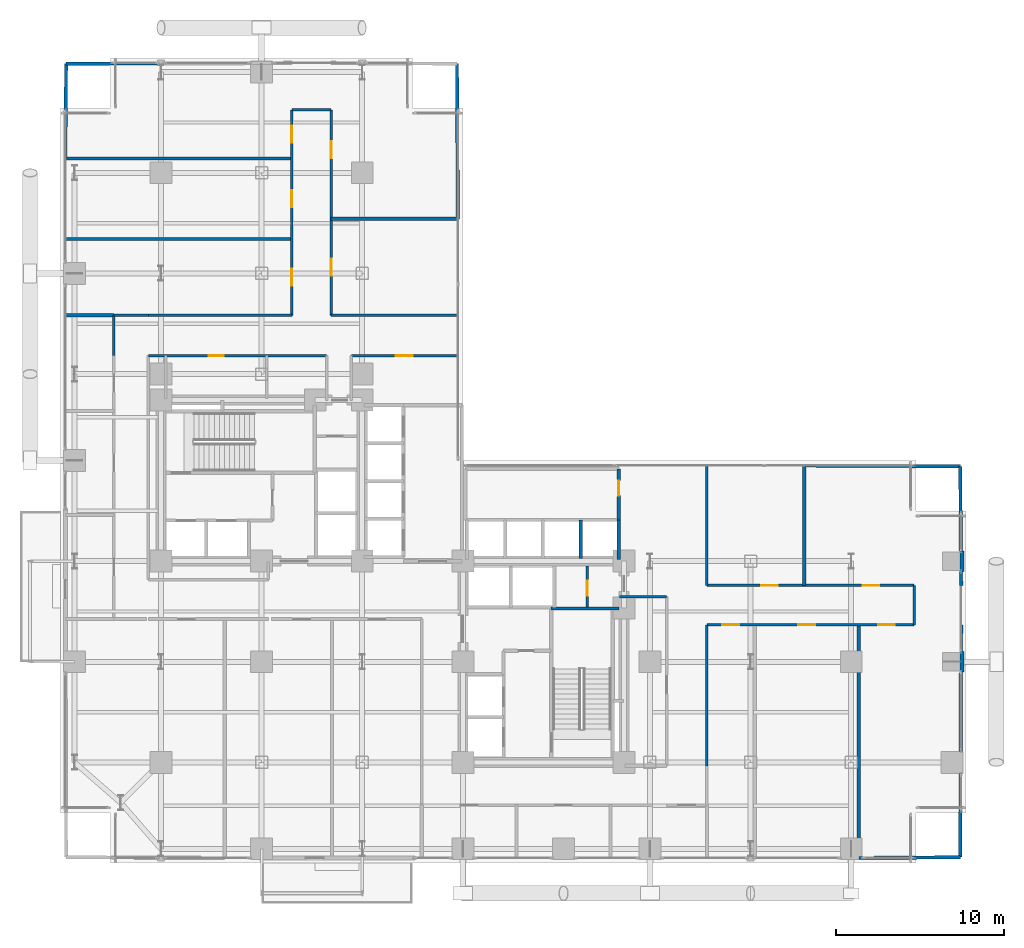
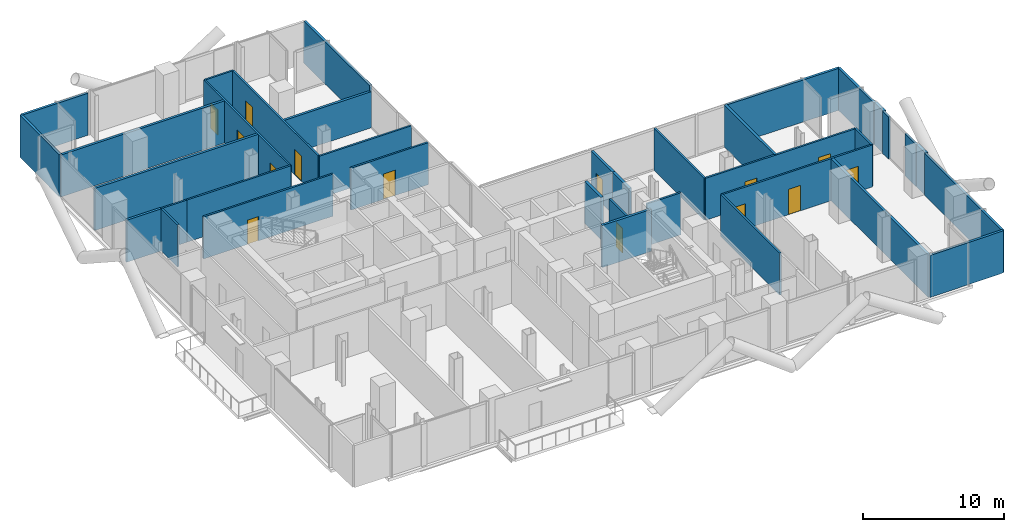
# One storey, part 22 of 25: 37 walls, 14 doors, 14 openings.
"""IFC4 building model written with IfcOpenShell, lengths in metres."""

from ifc_helpers import new_model, si_unit, direction, frame, frame_2d, origin, place, context, subcontext, project, spatial, rectangle, extrude, material, layer, layer_set, type_object, element, fill, save


model = new_model("IFC4")

# Units and contexts
model_context = context("Model", 3, precision=1e-05, world=origin(), true_north=direction((0.0, 1.0)))
body_context = subcontext(model_context, "Body", "Model", "MODEL_VIEW")
ifc_project = project(units=[si_unit("LENGTHUNIT", "METRE"), si_unit("AREAUNIT", "SQUARE_METRE"), si_unit("VOLUMEUNIT", "CUBIC_METRE"), si_unit("PLANEANGLEUNIT", "RADIAN"), si_unit("MASSUNIT", "GRAM", prefix="KILO"), si_unit("THERMODYNAMICTEMPERATUREUNIT", "KELVIN"), si_unit("POWERUNIT", "WATT")], contexts=[model_context])

# Site, building, storey
site_placement = place(None, origin())
site = spatial("IfcSite", under=ifc_project, at=site_placement, CompositionType="ELEMENT")
building_placement = place(site_placement, origin())
building = spatial("IfcBuilding", under=site, at=building_placement, Name="Svarakhadi Broadcast Tower", CompositionType="ELEMENT")
storey_placement = place(building_placement, frame((0.0, 0.0, 67.5)))
storey = spatial("IfcBuildingStorey", under=building, at=storey_placement, Name="L15", CompositionType="ELEMENT", Elevation=67.5)

# Walls
ifc_material_1 = material(Name="Double-Stud Acoustic Studio Partition STC-62", Category="gypsum")
ifc_layer_1 = layer(ifc_material_1, 0.199951171875)
ifc_layer_set_1 = layer_set([ifc_layer_1], Name="Double-Stud Acoustic Studio Partition STC-62")
wall_type_1 = type_object("IfcWallType", Name="Wall_Acoust_200", PredefinedType="PARTITIONING", material=ifc_layer_set_1)
wall_1_placement = place(storey_placement, frame((47.60009765625, 0.300048828125, 0.0), z_axis=(0.0, 0.0, 1.0), x_axis=(0.0, 1.0, 0.0)))
element("IfcWall", 1, at=wall_1_placement, inside=storey, type_object=wall_type_1, Name="L15 Crew Recreation Lounge Wall", PredefinedType="PARTITIONING", context=body_context, shape_type="SweptSolid", body=[
    extrude(rectangle(XDim=13.89990234375, YDim=0.199951171875, at=frame_2d((6.949951171875, 0.0))), origin(), (0.0, 0.0, 1.0), 3.64990234375),
])
wall_2_placement = place(storey_placement, frame((47.60009765625, 0.300048828125, 0.0), z_axis=(0.0, 0.0, 1.0), x_axis=(0.999965782141, 0.008272517568, 0.0)))
element("IfcWall", 2, at=wall_2_placement, inside=storey, type_object=wall_type_1, Name="L15 Staff Fitness Stretching Room Wall", PredefinedType="PARTITIONING", context=body_context, shape_type="SweptSolid", body=[
    extrude(rectangle(XDim=6.050048828125, YDim=0.199951171875, at=frame_2d((3.02490234375, 0.0))), origin(), (0.0, 0.0, 1.0), 3.64990234375),
])
wall_3_placement = place(storey_placement, frame((53.64990234375, 0.35009765625, 0.0), z_axis=(0.0, 0.0, 1.0), x_axis=(0.003606251025, 0.999993497456, 0.0)))
element("IfcWall", 3, at=wall_3_placement, inside=storey, type_object=wall_type_1, Name="L15 Staff Fitness Stretching Room Wall", PredefinedType="PARTITIONING", context=body_context, shape_type="SweptSolid", body=[
    extrude(rectangle(XDim=11.034912109375, YDim=0.199951171875, at=frame_2d((5.517578125, 0.0))), origin(), (0.0, 0.0, 1.0), 3.64990234375),
])
wall_4_placement = place(storey_placement, frame((53.6943359375, 12.614990234375, 0.0), z_axis=(0.0, 0.0, 1.0), x_axis=(0.003542799701, 0.999993724265, 0.0)))
element("IfcWall", 4, at=wall_4_placement, inside=storey, type_object=wall_type_1, Name="L15 Staff Fitness Stretching Room Wall", PredefinedType="PARTITIONING", context=body_context, shape_type="SweptSolid", body=[
    extrude(rectangle(XDim=1.5849609375, YDim=0.199951171875, at=frame_2d((0.79248046875, 0.0))), origin(), (0.0, 0.0, 1.0), 3.64990234375),
])
wall_5_placement = place(storey_placement, frame((44.35009765625, 16.550048828125, 0.0), z_axis=(0.0, 0.0, 1.0), x_axis=(0.0, 1.0, 0.0)))
element("IfcWall", 5, at=wall_5_placement, inside=storey, type_object=wall_type_1, Name="L15 Broadcast Acoustic Booth Wall", PredefinedType="PARTITIONING", context=body_context, shape_type="SweptSolid", body=[
    extrude(rectangle(XDim=7.14990234375, YDim=0.199951171875, at=frame_2d((3.574951171875, 0.0))), origin(), (0.0, 0.0, 1.0), 3.64990234375),
])
wall_6_placement = place(storey_placement, frame((44.35009765625, 23.699951171875, 0.0), z_axis=(0.0, 0.0, 1.0), x_axis=(0.999985518927, -0.005381629512, 0.0)))
element("IfcWall", 6, at=wall_6_placement, inside=storey, type_object=wall_type_1, Name="L15 Broadcast Equipment Operations Room Wall", PredefinedType="PARTITIONING", context=body_context, shape_type="SweptSolid", body=[
    extrude(rectangle(XDim=9.300048828125, YDim=0.199951171875, at=frame_2d((4.64990234375, 0.0))), origin(), (0.0, 0.0, 1.0), 3.64990234375),
])
wall_7_placement = place(storey_placement, frame((53.699951171875, 16.550048828125, 0.0), z_axis=(0.0, 0.0, 1.0), x_axis=(-0.007017371073, 0.999975377948, 0.0)))
element("IfcWall", 7, at=wall_7_placement, inside=storey, type_object=wall_type_1, Name="L15 Broadcast Equipment Operations Room Wall", PredefinedType="PARTITIONING", context=body_context, shape_type="SweptSolid", body=[
    extrude(rectangle(XDim=0.8349609375, YDim=0.199951171875, at=frame_2d((0.41748046875, 0.0))), origin(), (0.0, 0.0, 1.0), 3.64990234375),
])
wall_8_placement = place(storey_placement, frame((53.685546875, 18.614990234375, 0.0), z_axis=(0.0, 0.0, 1.0), x_axis=(-0.007079296972, 0.999974941463, 0.0)))
element("IfcWall", 8, at=wall_8_placement, inside=storey, type_object=wall_type_1, Name="L15 Broadcast Equipment Operations Room Wall", PredefinedType="PARTITIONING", context=body_context, shape_type="SweptSolid", body=[
    extrude(rectangle(XDim=5.03515625, YDim=0.199951171875, at=frame_2d((2.517578125, 0.0))), origin(), (0.0, 0.0, 1.0), 3.64990234375),
])
for number, where, z_axis, x_axis, name in (
    (9, (0.300048828125, 37.199951171875, 0.0), (0.0, 0.0, 1.0), (1.0, 0.0, 0.0), "L15 Occupational Health Wellness Room Wall"),
    (10, (0.300048828125, 42.0, 0.0), (0.0, 0.0, 1.0), (1.0, 0.0, 0.0), "L15 Night-Shift Quiet Rest Lounge Wall"),
):
    element("IfcWall", number, at=place(storey_placement, frame(where, z_axis=z_axis, x_axis=x_axis)), inside=storey, type_object=wall_type_1, Name=name, PredefinedType="PARTITIONING", context=body_context, shape_type="SweptSolid", body=[
        extrude(rectangle(XDim=13.5, YDim=0.199951171875, at=frame_2d((6.75, 0.0))), origin(), (0.0, 0.0, 1.0), 3.64990234375),
    ])
wall_9_placement = place(storey_placement, frame((0.35009765625, 47.64990234375, 0.0), z_axis=(0.0, 0.0, 1.0), x_axis=(0.99999304924, 0.003728467862, 0.0)))
element("IfcWall", 11, at=wall_9_placement, inside=storey, type_object=wall_type_1, Name="L15 Crew Locker Store Wall", PredefinedType="PARTITIONING", context=body_context, shape_type="SweptSolid", body=[
    extrude(rectangle(XDim=5.434814453125, YDim=0.199951171875, at=frame_2d((2.71728515625, 0.0))), origin(), (0.0, 0.0, 1.0), 3.64990234375),
])
wall_10_placement = place(storey_placement, frame((0.300048828125, 42.0, 0.0), z_axis=(0.0, 0.0, 1.0), x_axis=(0.00885800524, 0.999960767102, 0.0)))
element("IfcWall", 12, at=wall_10_placement, inside=storey, type_object=wall_type_1, Name="L15 Crew Locker Store Wall", PredefinedType="PARTITIONING", context=body_context, shape_type="SweptSolid", body=[
    extrude(rectangle(XDim=5.650146484375, YDim=0.199951171875, at=frame_2d((2.8251953125, 0.0))), origin(), (0.0, 0.0, 1.0), 3.64990234375),
])
wall_11_placement = place(storey_placement, frame((16.14990234375, 38.39990234375, 0.0), z_axis=(0.0, 0.0, 1.0), x_axis=(1.0, 0.0, 0.0)))
element("IfcWall", 13, at=wall_11_placement, inside=storey, type_object=wall_type_1, Name="L15 Mindfulness and Yoga Studio Wall", PredefinedType="PARTITIONING", context=body_context, shape_type="SweptSolid", body=[
    extrude(rectangle(XDim=7.550048828125, YDim=0.199951171875, at=frame_2d((3.77490234375, 0.0))), origin(), (0.0, 0.0, 1.0), 3.14208984375),
])
wall_12_placement = place(storey_placement, frame((23.699951171875, 38.39990234375, 0.0), z_axis=(0.0, 0.0, 1.0), x_axis=(-0.005410604923, 0.99998536257, 0.0)))
element("IfcWall", 14, at=wall_12_placement, inside=storey, type_object=wall_type_1, Name="L15 Staff Shower Room Wall", PredefinedType="PARTITIONING", context=body_context, shape_type="SweptSolid", body=[
    extrude(rectangle(XDim=9.250244140625, YDim=0.199951171875, at=frame_2d((4.625, 0.0))), origin(), (0.0, 0.0, 1.0), 3.64990234375),
])
wall_13_placement = place(storey_placement, frame((0.300048828125, 32.64990234375, 0.0), z_axis=(0.0, 0.0, 1.0), x_axis=(1.0, 0.0, 0.0)))
element("IfcWall", 15, at=wall_13_placement, inside=storey, type_object=wall_type_1, Name="L15 Producer Quiet Lounge Wall", PredefinedType="PARTITIONING", context=body_context, shape_type="SweptSolid", body=[
    extrude(rectangle(XDim=2.89990234375, YDim=0.199951171875, at=frame_2d((1.449951171875, 0.0))), origin(), (0.0, 0.0, 1.0), 3.64990234375),
])
ifc_material_2 = material(Name="Concrete C40/50 (IS 456 M50)", Category="concrete")
ifc_layer_2 = layer(ifc_material_2, 0.239990234375)
ifc_layer_set_2 = layer_set([ifc_layer_2], Name="Concrete C40/50 (IS 456 M50)")
wall_type_2 = type_object("IfcWallType", Name="Wall_Ext_240", PredefinedType="SOLIDWALL", material=ifc_layer_set_2)
for number, where, z_axis, x_axis, name in (
    (16, (53.760009765625, 18.614990234375, 0.0), (0.0, 0.0, 1.0), (0.0, -1.0, 0.0), "L15 Perimeter Bronze Spandrel Closure Wall 03"),
    (17, (53.760009765625, 12.614990234375, 0.0), (0.0, 0.0, 1.0), (0.0, -1.0, 0.0), "L15 Perimeter Bronze Spandrel Closure Wall 04"),
):
    element("IfcWall", number, at=place(storey_placement, frame(where, z_axis=z_axis, x_axis=x_axis)), inside=storey, type_object=wall_type_2, Name=name, PredefinedType="SOLIDWALL", context=body_context, shape_type="SweptSolid", body=[
        extrude(rectangle(XDim=1.22998046875, YDim=0.239990234375, at=frame_2d((0.614990234375, 0.0))), origin(), (0.0, 0.0, 1.0), 3.64990234375),
    ])

# Wall, opening, door
ifc_material_3 = material(Name="Autoclaved Aerated Concrete Blockwork 150 mm", Category="masonry")
ifc_layer_3 = layer(ifc_material_3, 0.14990234375)
ifc_layer_set_3 = layer_set([ifc_layer_3], Name="Autoclaved Aerated Concrete Blockwork 150 mm")
wall_type_3 = type_object("IfcWallType", Name="Wall_Part_150", PredefinedType="PARTITIONING", material=ifc_layer_set_3)
wall_14_placement = place(storey_placement, frame((31.419921875, 15.280029296875, 0.0), z_axis=(0.0, 0.0, 1.0), x_axis=(0.0, 1.0, 0.0)))
wall_14 = element("IfcWall", 18, at=wall_14_placement, inside=storey, type_object=wall_type_3, Name="L15 East Core Dual Store Wall", PredefinedType="PARTITIONING", context=body_context, shape_type="SweptSolid", body=[
    extrude(rectangle(XDim=2.419921875, YDim=0.14990234375, at=frame_2d((1.2099609375, 0.0))), origin(), (0.0, 0.0, 1.0), 3.64990234375),
])
opening_1_placement = place(wall_14_placement, frame((0.64990234375, 0.0, 0.0)))
opening_1 = element("IfcOpeningElement", 19, at=opening_1_placement, cuts=wall_14, Name="Opening D-04", PredefinedType="OPENING", context=body_context, shape_type="SweptSolid", body=[
    extrude(rectangle(XDim=0.89990234375, YDim=2.14990234375, at=frame_2d((0.449951171875, 1.074951171875))), frame((0.0, 0.0849609375, 0.0), z_axis=(0.0, -1.0, 0.0), x_axis=(1.0, 0.0, 0.0)), (0.0, 0.0, 1.0), 0.169921875),
])
ifc_material_4 = material(Name="Galvanised Powder-Coated Fire-Rated Steel Leaf", Category="steel")
door_type_1 = type_object("IfcDoorType", Name="Door_Fire_D04", OperationType="SINGLE_SWING_RIGHT", PredefinedType="DOOR", material=ifc_material_4)
door_1_placement = place(opening_1_placement, origin())
door_1 = element("IfcDoor", 20, at=door_1_placement, inside=storey, type_object=door_type_1, Name="L15 East Core Store B Door", OperationType="SINGLE_SWING_RIGHT", OverallHeight=2.14990234375, OverallWidth=0.89990234375, PredefinedType="DOOR", context=body_context, shape_type="SweptSolid", body=[
    extrude(rectangle(XDim=0.89990234375, YDim=2.14990234375, at=frame_2d((0.449951171875, 1.074951171875))), frame((0.0, 0.02490234375, 0.0), z_axis=(0.0, -1.0, 0.0), x_axis=(1.0, 0.0, 0.0)), (0.0, 0.0, 1.0), 0.050048828125),
])
fill(opening_1, door_1)

# Walls
wall_15_placement = place(storey_placement, frame((36.14990234375, 15.8798828125, 0.0), z_axis=(0.0, 0.0, 1.0), x_axis=(-1.0, 0.0, 0.0)))
element("IfcWall", 21, at=wall_15_placement, inside=storey, type_object=wall_type_3, Name="L15 Broadcast Corridor Wall", PredefinedType="PARTITIONING", context=body_context, shape_type="SweptSolid", body=[
    extrude(rectangle(XDim=2.809814453125, YDim=0.14990234375, at=frame_2d((1.40478515625, 0.0))), origin(), (0.0, 0.0, 1.0), 3.64990234375),
])
wall_16_placement = place(storey_placement, frame((38.550048828125, 23.699951171875, 0.0), z_axis=(0.0, 0.0, 1.0), x_axis=(0.0, -1.0, 0.0)))
element("IfcWall", 22, at=wall_16_placement, inside=storey, type_object=wall_type_3, Name="L15 Broadcast Corridor Wall", PredefinedType="PARTITIONING", context=body_context, shape_type="SweptSolid", body=[
    extrude(rectangle(XDim=7.14990234375, YDim=0.14990234375, at=frame_2d((3.574951171875, 0.0))), origin(), (0.0, 0.0, 1.0), 3.64990234375),
])

# Wall, openings, doors
wall_17_placement = place(storey_placement, frame((38.550048828125, 16.550048828125, 0.0), z_axis=(0.0, 0.0, 1.0), x_axis=(1.0, 0.0, 0.0)))
wall_17 = element("IfcWall", 23, at=wall_17_placement, inside=storey, type_object=wall_type_3, Name="L15 Broadcast Corridor Wall", PredefinedType="PARTITIONING", context=body_context, shape_type="SweptSolid", body=[
    extrude(rectangle(XDim=12.349853515625, YDim=0.14990234375, at=frame_2d((6.1748046875, 0.0))), origin(), (0.0, 0.0, 1.0), 3.64990234375),
])
opening_2_placement = place(wall_17_placement, frame((3.22998046875, 0.0, 0.0)))
opening_2 = element("IfcOpeningElement", 24, at=opening_2_placement, cuts=wall_17, Name="Opening D-09", PredefinedType="OPENING", context=body_context, shape_type="SweptSolid", body=[
    extrude(rectangle(XDim=1.0, YDim=2.199951171875, at=frame_2d((0.5, 1.10009765625))), frame((0.0, 0.0849609375, 0.0), z_axis=(0.0, -1.0, 0.0), x_axis=(1.0, 0.0, 0.0)), (0.0, 0.0, 1.0), 0.169921875),
])
opening_3_placement = place(wall_17_placement, frame((9.280029296875, 0.0, 0.0)))
opening_3 = element("IfcOpeningElement", 25, at=opening_3_placement, cuts=wall_17, Name="Opening D-09", PredefinedType="OPENING", context=body_context, shape_type="SweptSolid", body=[
    extrude(rectangle(XDim=1.0, YDim=2.199951171875, at=frame_2d((0.5, 1.10009765625))), frame((0.0, 0.0849609375, 0.0), z_axis=(0.0, -1.0, 0.0), x_axis=(1.0, 0.0, 0.0)), (0.0, 0.0, 1.0), 0.169921875),
])
ifc_material_5 = material(Name="Solid-Core Teak Veneer Acoustic Timber Leaf", Category="wood")
door_type_2 = type_object("IfcDoorType", Name="Door_Suite_D09", OperationType="SINGLE_SWING_RIGHT", PredefinedType="DOOR", material=ifc_material_5)
door_2_placement = place(opening_2_placement, origin())
door_2 = element("IfcDoor", 26, at=door_2_placement, inside=storey, type_object=door_type_2, Name="L15 Broadcast Acoustic Booth Door", OperationType="SINGLE_SWING_RIGHT", OverallHeight=2.199951171875, OverallWidth=1.0, PredefinedType="DOOR", context=body_context, shape_type="SweptSolid", body=[
    extrude(rectangle(XDim=1.0, YDim=2.199951171875, at=frame_2d((0.5, 1.10009765625))), frame((0.0, 0.02490234375, 0.0), z_axis=(0.0, -1.0, 0.0), x_axis=(1.0, 0.0, 0.0)), (0.0, 0.0, 1.0), 0.050048828125),
])
fill(opening_2, door_2)
door_3_placement = place(opening_3_placement, origin())
door_3 = element("IfcDoor", 27, at=door_3_placement, inside=storey, type_object=door_type_2, Name="L15 Broadcast Equipment Operations Room Door", OperationType="SINGLE_SWING_RIGHT", OverallHeight=2.199951171875, OverallWidth=1.0, PredefinedType="DOOR", context=body_context, shape_type="SweptSolid", body=[
    extrude(rectangle(XDim=1.0, YDim=2.199951171875, at=frame_2d((0.5, 1.10009765625))), frame((0.0, 0.02490234375, 0.0), z_axis=(0.0, -1.0, 0.0), x_axis=(1.0, 0.0, 0.0)), (0.0, 0.0, 1.0), 0.050048828125),
])
fill(opening_3, door_3)

# Wall
wall_18_placement = place(storey_placement, frame((50.89990234375, 16.550048828125, 0.0), z_axis=(0.0, 0.0, 1.0), x_axis=(0.0, -1.0, 0.0)))
element("IfcWall", 28, at=wall_18_placement, inside=storey, type_object=wall_type_3, Name="L15 Broadcast Corridor Wall", PredefinedType="PARTITIONING", context=body_context, shape_type="SweptSolid", body=[
    extrude(rectangle(XDim=2.35009765625, YDim=0.14990234375, at=frame_2d((1.175048828125, 0.0))), origin(), (0.0, 0.0, 1.0), 3.64990234375),
])

# Wall, openings, doors
wall_19_placement = place(storey_placement, frame((50.89990234375, 14.199951171875, 0.0), z_axis=(0.0, 0.0, 1.0), x_axis=(-1.0, 0.0, 0.0)))
wall_19 = element("IfcWall", 29, at=wall_19_placement, inside=storey, type_object=wall_type_3, Name="L15 Broadcast Corridor Wall", PredefinedType="PARTITIONING", context=body_context, shape_type="SweptSolid", body=[
    extrude(rectangle(XDim=12.349853515625, YDim=0.14990234375, at=frame_2d((6.1748046875, 0.0))), origin(), (0.0, 0.0, 1.0), 3.64990234375),
])
opening_4_placement = place(wall_19_placement, frame((10.425048828125, 0.0, 0.0)))
opening_4 = element("IfcOpeningElement", 30, at=opening_4_placement, cuts=wall_19, Name="Opening D-09", PredefinedType="OPENING", context=body_context, shape_type="SweptSolid", body=[
    extrude(rectangle(XDim=1.0, YDim=2.199951171875, at=frame_2d((0.5, 1.10009765625))), frame((0.0, 0.0849609375, 0.0), z_axis=(0.0, -1.0, 0.0), x_axis=(1.0, 0.0, 0.0)), (0.0, 0.0, 1.0), 0.169921875),
])
opening_5_placement = place(wall_19_placement, frame((5.89990234375, 0.0, 0.0)))
opening_5 = element("IfcOpeningElement", 31, at=opening_5_placement, cuts=wall_19, Name="Opening D-08", PredefinedType="OPENING", context=body_context, shape_type="SweptSolid", body=[
    extrude(rectangle(XDim=1.0, YDim=2.199951171875, at=frame_2d((0.5, 1.10009765625))), frame((0.0, 0.0849609375, 0.0), z_axis=(0.0, -1.0, 0.0), x_axis=(1.0, 0.0, 0.0)), (0.0, 0.0, 1.0), 0.169921875),
])
opening_6_placement = place(wall_19_placement, frame((1.14990234375, 0.0, 0.0)))
opening_6 = element("IfcOpeningElement", 32, at=opening_6_placement, cuts=wall_19, Name="Opening D-09", PredefinedType="OPENING", context=body_context, shape_type="SweptSolid", body=[
    extrude(rectangle(XDim=1.0, YDim=2.199951171875, at=frame_2d((0.5, 1.10009765625))), frame((0.0, 0.0849609375, 0.0), z_axis=(0.0, -1.0, 0.0), x_axis=(1.0, 0.0, 0.0)), (0.0, 0.0, 1.0), 0.169921875),
])
door_type_3 = type_object("IfcDoorType", Name="Door_Suite_D08", OperationType="SINGLE_SWING_LEFT", PredefinedType="DOOR", material=ifc_material_5)
door_4_placement = place(opening_5_placement, origin())
door_4 = element("IfcDoor", 33, at=door_4_placement, inside=storey, type_object=door_type_3, Name="L15 Crew Recreation Lounge Door", OperationType="SINGLE_SWING_LEFT", OverallHeight=2.199951171875, OverallWidth=1.0, PredefinedType="DOOR", context=body_context, shape_type="SweptSolid", body=[
    extrude(rectangle(XDim=1.0, YDim=2.199951171875, at=frame_2d((0.5, 1.10009765625))), frame((0.0, 0.02490234375, 0.0), z_axis=(0.0, -1.0, 0.0), x_axis=(1.0, 0.0, 0.0)), (0.0, 0.0, 1.0), 0.050048828125),
])
fill(opening_5, door_4)
door_5_placement = place(opening_4_placement, origin())
door_5 = element("IfcDoor", 34, at=door_5_placement, inside=storey, type_object=door_type_2, Name="L15 Harbour Terrace Espresso Bistro Door", OperationType="SINGLE_SWING_RIGHT", OverallHeight=2.199951171875, OverallWidth=1.0, PredefinedType="DOOR", context=body_context, shape_type="SweptSolid", body=[
    extrude(rectangle(XDim=1.0, YDim=2.199951171875, at=frame_2d((0.5, 1.10009765625))), frame((0.0, 0.02490234375, 0.0), z_axis=(0.0, -1.0, 0.0), x_axis=(1.0, 0.0, 0.0)), (0.0, 0.0, 1.0), 0.050048828125),
])
fill(opening_4, door_5)
door_6_placement = place(opening_6_placement, origin())
door_6 = element("IfcDoor", 35, at=door_6_placement, inside=storey, type_object=door_type_2, Name="L15 Staff Fitness Stretching Room Door", OperationType="SINGLE_SWING_RIGHT", OverallHeight=2.199951171875, OverallWidth=1.0, PredefinedType="DOOR", context=body_context, shape_type="SweptSolid", body=[
    extrude(rectangle(XDim=1.0, YDim=2.199951171875, at=frame_2d((0.5, 1.10009765625))), frame((0.0, 0.02490234375, 0.0), z_axis=(0.0, -1.0, 0.0), x_axis=(1.0, 0.0, 0.0)), (0.0, 0.0, 1.0), 0.050048828125),
])
fill(opening_6, door_6)

# Walls
wall_20_placement = place(storey_placement, frame((38.550048828125, 14.199951171875, 0.0), z_axis=(0.0, 0.0, 1.0), x_axis=(0.0, -1.0, 0.0)))
element("IfcWall", 36, at=wall_20_placement, inside=storey, type_object=wall_type_3, Name="L15 Broadcast Corridor Wall", PredefinedType="PARTITIONING", context=body_context, shape_type="SweptSolid", body=[
    extrude(rectangle(XDim=8.39990234375, YDim=0.14990234375, at=frame_2d((4.199951171875, 0.0))), origin(), (0.0, 0.0, 1.0), 3.64990234375),
])
wall_21_placement = place(storey_placement, frame((3.199951171875, 30.25, 0.0), z_axis=(0.0, 0.0, 1.0), x_axis=(0.0, 1.0, 0.0)))
element("IfcWall", 37, at=wall_21_placement, inside=storey, type_object=wall_type_3, Name="L15 Broadcast Corridor Wall", PredefinedType="PARTITIONING", context=body_context, shape_type="SweptSolid", body=[
    extrude(rectangle(XDim=2.39990234375, YDim=0.14990234375, at=frame_2d((1.199951171875, 0.0))), origin(), (0.0, 0.0, 1.0), 3.64990234375),
])
wall_22_placement = place(storey_placement, frame((3.199951171875, 32.64990234375, 0.0), z_axis=(0.0, 0.0, 1.0), x_axis=(1.0, 0.0, 0.0)))
element("IfcWall", 38, at=wall_22_placement, inside=storey, type_object=wall_type_3, Name="L15 Broadcast Corridor Wall", PredefinedType="PARTITIONING", context=body_context, shape_type="SweptSolid", body=[
    extrude(rectangle(XDim=2.050048828125, YDim=0.14990234375, at=frame_2d((1.02490234375, 0.0))), origin(), (0.0, 0.0, 1.0), 3.64990234375),
])
wall_23_placement = place(storey_placement, frame((5.25, 32.64990234375, 0.0), z_axis=(0.0, 0.0, 1.0), x_axis=(1.0, 0.0, 0.0)))
element("IfcWall", 39, at=wall_23_placement, inside=storey, type_object=wall_type_3, Name="L15 Broadcast Corridor Wall", PredefinedType="PARTITIONING", context=body_context, shape_type="SweptSolid", body=[
    extrude(rectangle(XDim=8.550048828125, YDim=0.14990234375, at=frame_2d((4.27490234375, 0.0))), origin(), (0.0, 0.0, 1.0), 3.64990234375),
])

# Wall, openings, doors
wall_24_placement = place(storey_placement, frame((13.800048828125, 32.64990234375, 0.0), z_axis=(0.0, 0.0, 1.0), x_axis=(0.0, 1.0, 0.0)))
wall_24 = element("IfcWall", 40, at=wall_24_placement, inside=storey, type_object=wall_type_3, Name="L15 Broadcast Corridor Wall", PredefinedType="PARTITIONING", context=body_context, shape_type="SweptSolid", body=[
    extrude(rectangle(XDim=12.25, YDim=0.14990234375, at=frame_2d((6.125, 0.0))), origin(), (0.0, 0.0, 1.0), 3.64990234375),
])
opening_7_placement = place(wall_24_placement, frame((1.77490234375, 0.0, 0.0)))
opening_7 = element("IfcOpeningElement", 41, at=opening_7_placement, cuts=wall_24, Name="Opening D-09", PredefinedType="OPENING", context=body_context, shape_type="SweptSolid", body=[
    extrude(rectangle(XDim=1.0, YDim=2.199951171875, at=frame_2d((0.5, 1.10009765625))), frame((0.0, 0.0849609375, 0.0), z_axis=(0.0, -1.0, 0.0), x_axis=(1.0, 0.0, 0.0)), (0.0, 0.0, 1.0), 0.169921875),
])
opening_8_placement = place(wall_24_placement, frame((6.449951171875, 0.0, 0.0)))
opening_8 = element("IfcOpeningElement", 42, at=opening_8_placement, cuts=wall_24, Name="Opening D-08", PredefinedType="OPENING", context=body_context, shape_type="SweptSolid", body=[
    extrude(rectangle(XDim=1.0, YDim=2.199951171875, at=frame_2d((0.5, 1.10009765625))), frame((0.0, 0.0849609375, 0.0), z_axis=(0.0, -1.0, 0.0), x_axis=(1.0, 0.0, 0.0)), (0.0, 0.0, 1.0), 0.169921875),
])
opening_9_placement = place(wall_24_placement, frame((10.300048828125, 0.0, 0.0)))
opening_9 = element("IfcOpeningElement", 43, at=opening_9_placement, cuts=wall_24, Name="Opening D-09", PredefinedType="OPENING", context=body_context, shape_type="SweptSolid", body=[
    extrude(rectangle(XDim=1.0, YDim=2.199951171875, at=frame_2d((0.5, 1.10009765625))), frame((0.0, 0.0849609375, 0.0), z_axis=(0.0, -1.0, 0.0), x_axis=(1.0, 0.0, 0.0)), (0.0, 0.0, 1.0), 0.169921875),
])
door_7_placement = place(opening_8_placement, origin())
door_7 = element("IfcDoor", 44, at=door_7_placement, inside=storey, type_object=door_type_3, Name="L15 Night-Shift Quiet Rest Lounge Door", OperationType="SINGLE_SWING_LEFT", OverallHeight=2.199951171875, OverallWidth=1.0, PredefinedType="DOOR", context=body_context, shape_type="SweptSolid", body=[
    extrude(rectangle(XDim=1.0, YDim=2.199951171875, at=frame_2d((0.5, 1.10009765625))), frame((0.0, 0.02490234375, 0.0), z_axis=(0.0, -1.0, 0.0), x_axis=(1.0, 0.0, 0.0)), (0.0, 0.0, 1.0), 0.050048828125),
])
fill(opening_8, door_7)
door_8_placement = place(opening_7_placement, origin())
door_8 = element("IfcDoor", 45, at=door_8_placement, inside=storey, type_object=door_type_2, Name="L15 Occupational Health Wellness Room Door", OperationType="SINGLE_SWING_RIGHT", OverallHeight=2.199951171875, OverallWidth=1.0, PredefinedType="DOOR", context=body_context, shape_type="SweptSolid", body=[
    extrude(rectangle(XDim=1.0, YDim=2.199951171875, at=frame_2d((0.5, 1.10009765625))), frame((0.0, 0.02490234375, 0.0), z_axis=(0.0, -1.0, 0.0), x_axis=(1.0, 0.0, 0.0)), (0.0, 0.0, 1.0), 0.050048828125),
])
fill(opening_7, door_8)
door_9_placement = place(opening_9_placement, origin())
door_9 = element("IfcDoor", 46, at=door_9_placement, inside=storey, type_object=door_type_2, Name="L15 Crew Locker Store Door", OperationType="SINGLE_SWING_RIGHT", OverallHeight=2.199951171875, OverallWidth=1.0, PredefinedType="DOOR", context=body_context, shape_type="SweptSolid", body=[
    extrude(rectangle(XDim=1.0, YDim=2.199951171875, at=frame_2d((0.5, 1.10009765625))), frame((0.0, 0.02490234375, 0.0), z_axis=(0.0, -1.0, 0.0), x_axis=(1.0, 0.0, 0.0)), (0.0, 0.0, 1.0), 0.050048828125),
])
fill(opening_9, door_9)

# Wall
wall_25_placement = place(storey_placement, frame((13.800048828125, 44.89990234375, 0.0), z_axis=(0.0, 0.0, 1.0), x_axis=(1.0, 0.0, 0.0)))
element("IfcWall", 47, at=wall_25_placement, inside=storey, type_object=wall_type_3, Name="L15 Broadcast Corridor Wall", PredefinedType="PARTITIONING", context=body_context, shape_type="SweptSolid", body=[
    extrude(rectangle(XDim=2.349853515625, YDim=0.14990234375, at=frame_2d((1.1748046875, 0.0))), origin(), (0.0, 0.0, 1.0), 3.64990234375),
])

# Wall, openings, doors
wall_26_placement = place(storey_placement, frame((16.14990234375, 44.89990234375, 0.0), z_axis=(0.0, 0.0, 1.0), x_axis=(0.0, -1.0, 0.0)))
wall_26 = element("IfcWall", 48, at=wall_26_placement, inside=storey, type_object=wall_type_3, Name="L15 Broadcast Corridor Wall", PredefinedType="PARTITIONING", context=body_context, shape_type="SweptSolid", body=[
    extrude(rectangle(XDim=12.25, YDim=0.14990234375, at=frame_2d((6.125, 0.0))), origin(), (0.0, 0.0, 1.0), 3.64990234375),
])
opening_10_placement = place(wall_26_placement, frame((8.875, 0.0, 0.0)))
opening_10 = element("IfcOpeningElement", 49, at=opening_10_placement, cuts=wall_26, Name="Opening D-08", PredefinedType="OPENING", context=body_context, shape_type="SweptSolid", body=[
    extrude(rectangle(XDim=1.0, YDim=2.199951171875, at=frame_2d((0.5, 1.10009765625))), frame((0.0, 0.0849609375, 0.0), z_axis=(0.0, -1.0, 0.0), x_axis=(1.0, 0.0, 0.0)), (0.0, 0.0, 1.0), 0.169921875),
])
opening_11_placement = place(wall_26_placement, frame((1.8798828125, 0.0, 0.0)))
opening_11 = element("IfcOpeningElement", 50, at=opening_11_placement, cuts=wall_26, Name="Opening D-09", PredefinedType="OPENING", context=body_context, shape_type="SweptSolid", body=[
    extrude(rectangle(XDim=1.0, YDim=2.199951171875, at=frame_2d((0.5, 1.10009765625))), frame((0.0, 0.0849609375, 0.0), z_axis=(0.0, -1.0, 0.0), x_axis=(1.0, 0.0, 0.0)), (0.0, 0.0, 1.0), 0.169921875),
])
door_10_placement = place(opening_10_placement, origin())
door_10 = element("IfcDoor", 51, at=door_10_placement, inside=storey, type_object=door_type_3, Name="L15 Mindfulness and Yoga Studio Door", OperationType="SINGLE_SWING_LEFT", OverallHeight=2.199951171875, OverallWidth=1.0, PredefinedType="DOOR", context=body_context, shape_type="SweptSolid", body=[
    extrude(rectangle(XDim=1.0, YDim=2.199951171875, at=frame_2d((0.5, 1.10009765625))), frame((0.0, 0.02490234375, 0.0), z_axis=(0.0, -1.0, 0.0), x_axis=(1.0, 0.0, 0.0)), (0.0, 0.0, 1.0), 0.050048828125),
])
fill(opening_10, door_10)
door_11_placement = place(opening_11_placement, origin())
door_11 = element("IfcDoor", 52, at=door_11_placement, inside=storey, type_object=door_type_2, Name="L15 Staff Shower Room Door", OperationType="SINGLE_SWING_RIGHT", OverallHeight=2.199951171875, OverallWidth=1.0, PredefinedType="DOOR", context=body_context, shape_type="SweptSolid", body=[
    extrude(rectangle(XDim=1.0, YDim=2.199951171875, at=frame_2d((0.5, 1.10009765625))), frame((0.0, 0.02490234375, 0.0), z_axis=(0.0, -1.0, 0.0), x_axis=(1.0, 0.0, 0.0)), (0.0, 0.0, 1.0), 0.050048828125),
])
fill(opening_11, door_11)

# Wall
wall_27_placement = place(storey_placement, frame((16.14990234375, 32.64990234375, 0.0), z_axis=(0.0, 0.0, 1.0), x_axis=(1.0, 0.0, 0.0)))
element("IfcWall", 53, at=wall_27_placement, inside=storey, type_object=wall_type_3, Name="L15 Broadcast Corridor Wall", PredefinedType="PARTITIONING", context=body_context, shape_type="SweptSolid", body=[
    extrude(rectangle(XDim=7.550048828125, YDim=0.14990234375, at=frame_2d((3.77490234375, 0.0))), origin(), (0.0, 0.0, 1.0), 3.64990234375),
])

# Wall, opening, door
wall_28_placement = place(storey_placement, frame((23.699951171875, 30.25, 0.0), z_axis=(0.0, 0.0, 1.0), x_axis=(-1.0, 0.0, 0.0)))
wall_28 = element("IfcWall", 54, at=wall_28_placement, inside=storey, type_object=wall_type_3, Name="L15 Broadcast Corridor Wall", PredefinedType="PARTITIONING", context=body_context, shape_type="SweptSolid", body=[
    extrude(rectangle(XDim=6.349853515625, YDim=0.14990234375, at=frame_2d((3.1748046875, 0.0))), origin(), (0.0, 0.0, 1.0), 3.64990234375),
])
opening_12_placement = place(wall_28_placement, frame((2.699951171875, 0.0, 0.0)))
opening_12 = element("IfcOpeningElement", 55, at=opening_12_placement, cuts=wall_28, Name="Opening D-08", PredefinedType="OPENING", context=body_context, shape_type="SweptSolid", body=[
    extrude(rectangle(XDim=1.0, YDim=2.199951171875, at=frame_2d((0.5, 1.10009765625))), frame((0.0, 0.0849609375, 0.0), z_axis=(0.0, -1.0, 0.0), x_axis=(1.0, 0.0, 0.0)), (0.0, 0.0, 1.0), 0.169921875),
])
door_12_placement = place(opening_12_placement, origin())
door_12 = element("IfcDoor", 56, at=door_12_placement, inside=storey, type_object=door_type_3, Name="L15 Production Continuity Office Door", OperationType="SINGLE_SWING_LEFT", OverallHeight=2.199951171875, OverallWidth=1.0, PredefinedType="DOOR", context=body_context, shape_type="SweptSolid", body=[
    extrude(rectangle(XDim=1.0, YDim=2.199951171875, at=frame_2d((0.5, 1.10009765625))), frame((0.0, 0.02490234375, 0.0), z_axis=(0.0, -1.0, 0.0), x_axis=(1.0, 0.0, 0.0)), (0.0, 0.0, 1.0), 0.050048828125),
])
fill(opening_12, door_12)

wall_29_placement = place(storey_placement, frame((15.8798828125, 30.25, 0.0), z_axis=(0.0, 0.0, 1.0), x_axis=(-1.0, 0.0, 0.0)))
wall_29 = element("IfcWall", 57, at=wall_29_placement, inside=storey, type_object=wall_type_3, Name="L15 Broadcast Corridor Wall", PredefinedType="PARTITIONING", context=body_context, shape_type="SweptSolid", body=[
    extrude(rectangle(XDim=10.6298828125, YDim=0.14990234375, at=frame_2d((5.31494140625, 0.0))), origin(), (0.0, 0.0, 1.0), 3.64990234375),
])
opening_13_placement = place(wall_29_placement, frame((6.1298828125, 0.0, 0.0)))
opening_13 = element("IfcOpeningElement", 58, at=opening_13_placement, cuts=wall_29, Name="Opening D-13", PredefinedType="OPENING", context=body_context, shape_type="SweptSolid", body=[
    extrude(rectangle(XDim=0.89990234375, YDim=2.10009765625, at=frame_2d((0.449951171875, 1.050048828125))), frame((0.0, 0.0849609375, 0.0), z_axis=(0.0, -1.0, 0.0), x_axis=(1.0, 0.0, 0.0)), (0.0, 0.0, 1.0), 0.169921875),
])
door_type_4 = type_object("IfcDoorType", Name="Door_Closet_D13", OperationType="SINGLE_SWING_RIGHT", PredefinedType="DOOR", material=ifc_material_5)
door_13_placement = place(opening_13_placement, origin())
door_13 = element("IfcDoor", 59, at=door_13_placement, inside=storey, type_object=door_type_4, Name="L15 Accessible Toilet WC Door", OperationType="SINGLE_SWING_RIGHT", OverallHeight=2.10009765625, OverallWidth=0.89990234375, PredefinedType="DOOR", context=body_context, shape_type="SweptSolid", body=[
    extrude(rectangle(XDim=0.89990234375, YDim=2.10009765625, at=frame_2d((0.449951171875, 1.050048828125))), frame((0.0, 0.02490234375, 0.0), z_axis=(0.0, -1.0, 0.0), x_axis=(1.0, 0.0, 0.0)), (0.0, 0.0, 1.0), 0.050048828125),
])
fill(opening_13, door_13)

# Walls
ifc_material_6 = material(Name="Concrete C50/60 (IS 456 M60)", Category="concrete")
ifc_layer_4 = layer(ifc_material_6, 0.199951171875)
ifc_layer_set_4 = layer_set([ifc_layer_4], Name="Concrete C50/60 (IS 456 M60)")
wall_type_4 = type_object("IfcWallType", Name="Wall_Shear_200", PredefinedType="SHEAR", material=ifc_layer_set_4)
wall_30_placement = place(storey_placement, frame((29.260009765625, 15.179931640625, 0.0), z_axis=(0.0, 0.0, 1.0), x_axis=(1.0, 0.0, 0.0)))
element("IfcWall", 60, at=wall_30_placement, inside=storey, type_object=wall_type_4, Name="L15 Stair ST-02 North RC Shaft Wall", PredefinedType="SHEAR", context=body_context, shape_type="SweptSolid", body=[
    extrude(rectangle(XDim=4.0400390625, YDim=0.199951171875, at=frame_2d((2.02001953125, 0.0))), origin(), (0.0, 0.0, 1.0), 3.64990234375),
])
wall_31_placement = place(storey_placement, frame((33.300048828125, 18.10009765625, 0.0), z_axis=(0.0, 0.0, 1.0), x_axis=(0.0, 1.0, 0.0)))
element("IfcWall", 61, at=wall_31_placement, inside=storey, type_object=wall_type_4, Name="L15 Bank B East Shaft Wall", PredefinedType="SHEAR", context=body_context, shape_type="SweptSolid", body=[
    extrude(rectangle(XDim=2.349853515625, YDim=0.199951171875, at=frame_2d((1.1748046875, 0.0))), origin(), (0.0, 0.0, 1.0), 3.64990234375),
])
wall_32_placement = place(storey_placement, frame((31.02001953125, 18.14990234375, 0.0), z_axis=(0.0, 0.0, 1.0), x_axis=(0.0, 1.0, 0.0)))
element("IfcWall", 62, at=wall_32_placement, inside=storey, type_object=wall_type_4, Name="L15 Bank B Divider", PredefinedType="SHEAR", context=body_context, shape_type="SweptSolid", body=[
    extrude(rectangle(XDim=2.300048828125, YDim=0.199951171875, at=frame_2d((1.14990234375, 0.0))), origin(), (0.0, 0.0, 1.0), 3.64990234375),
])

# Wall, opening, door
wall_33_placement = place(storey_placement, frame((33.300048828125, 20.449951171875, 0.0), z_axis=(0.0, 0.0, 1.0), x_axis=(0.0, 1.0, 0.0)))
wall_33 = element("IfcWall", 63, at=wall_33_placement, inside=storey, type_object=wall_type_4, Name="L15 Bank B Lift Hall East Wall", PredefinedType="SHEAR", context=body_context, shape_type="SweptSolid", body=[
    extrude(rectangle(XDim=3.050048828125, YDim=0.199951171875, at=frame_2d((1.52490234375, 0.0))), origin(), (0.0, 0.0, 1.0), 3.64990234375),
])
opening_14_placement = place(wall_33_placement, frame((1.449951171875, 0.0, 0.0)))
opening_14 = element("IfcOpeningElement", 64, at=opening_14_placement, cuts=wall_33, Name="Opening D-04", PredefinedType="OPENING", context=body_context, shape_type="SweptSolid", body=[
    extrude(rectangle(XDim=0.89990234375, YDim=2.14990234375, at=frame_2d((0.449951171875, 1.074951171875))), frame((0.0, 0.10986328125, 0.0), z_axis=(0.0, -1.0, 0.0), x_axis=(1.0, 0.0, 0.0)), (0.0, 0.0, 1.0), 0.219970703125),
])
door_14_placement = place(opening_14_placement, origin())
door_14 = element("IfcDoor", 65, at=door_14_placement, inside=storey, type_object=door_type_1, Name="L15 Mid-Rise Lift Hall East Corridor Door", OperationType="SINGLE_SWING_RIGHT", OverallHeight=2.14990234375, OverallWidth=0.89990234375, PredefinedType="DOOR", context=body_context, shape_type="SweptSolid", body=[
    extrude(rectangle(XDim=0.89990234375, YDim=2.14990234375, at=frame_2d((0.449951171875, 1.074951171875))), frame((0.0, 0.02490234375, 0.0), z_axis=(0.0, -1.0, 0.0), x_axis=(1.0, 0.0, 0.0)), (0.0, 0.0, 1.0), 0.050048828125),
])
fill(opening_14, door_14)

save(model, "model.ifc")
